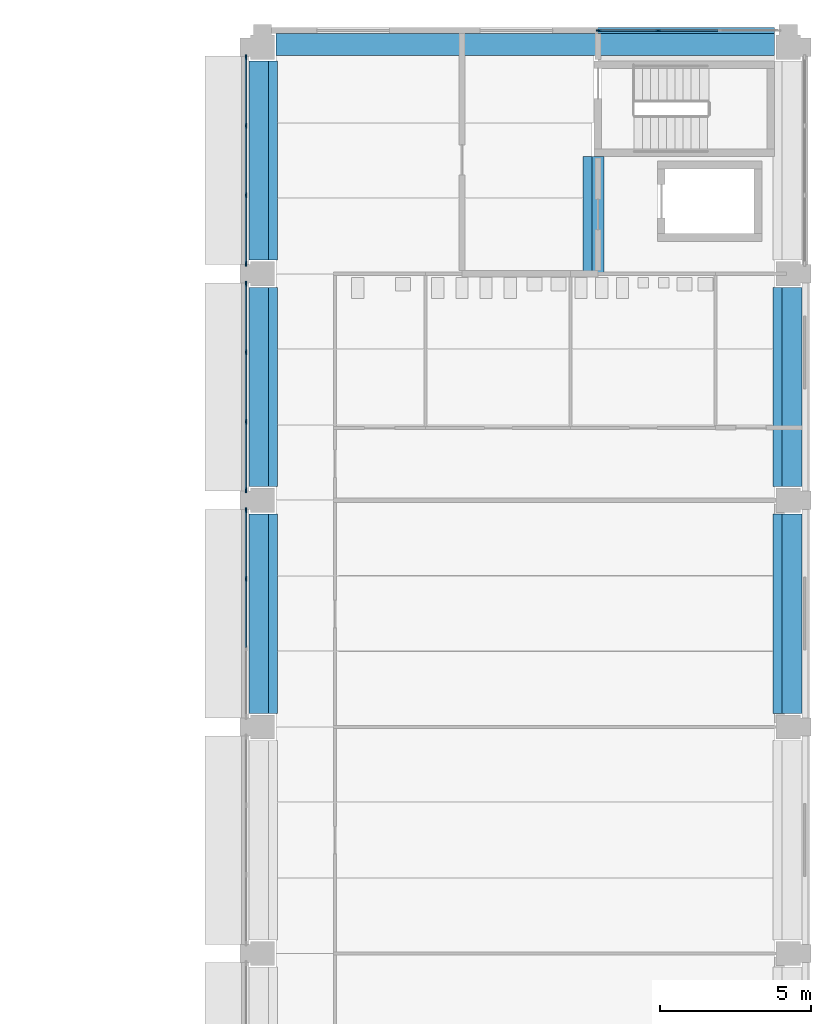
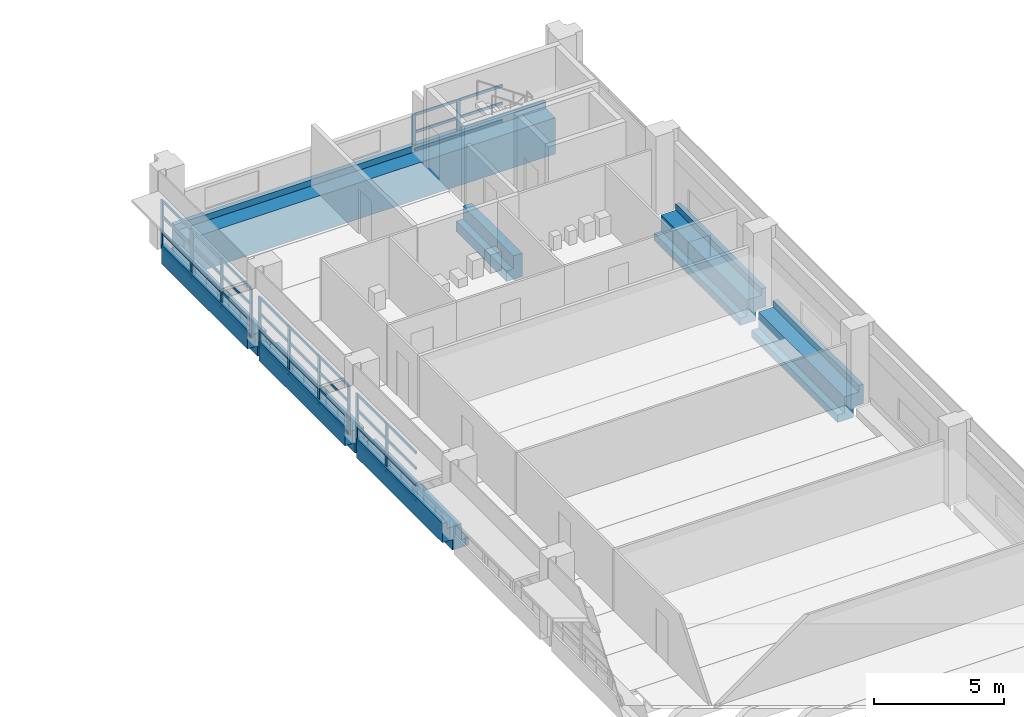
# One storey, part 23 of 61: 50 members, 7 beams, 4 elements without a shape of their own.
"""IFC4 building model written with IfcOpenShell, lengths in metres."""

from ifc_helpers import new_model, si_unit, direction, frame, origin, origin_2d, place, context, subcontext, project, spatial, polyline, rectangle, outline, extrude, material, layer, layer_set, material_profile, profile_set, type_object, element, aggregate, save


model = new_model("IFC4")

# Units and contexts
model_context = context("Model", 3, precision=1e-05, world=origin(), true_north=direction((0.0, 1.0)))
body_context = subcontext(model_context, "Body", "Model", "MODEL_VIEW")
ifc_project = project(units=[si_unit("LENGTHUNIT", "METRE"), si_unit("AREAUNIT", "SQUARE_METRE"), si_unit("VOLUMEUNIT", "CUBIC_METRE"), si_unit("PLANEANGLEUNIT", "RADIAN"), si_unit("MASSUNIT", "GRAM", prefix="KILO")], contexts=[model_context])

# Site, building, storey
site_placement = place(None, origin())
site = spatial("IfcSite", under=ifc_project, at=site_placement, CompositionType="ELEMENT")
building_placement = place(site_placement, origin())
building = spatial("IfcBuilding", under=site, at=building_placement, Name="Cour d'Honneur Mobility Palace", CompositionType="ELEMENT")
storey_placement = place(building_placement, frame((0.0, 0.0, 11.89990234375)))
storey = spatial("IfcBuildingStorey", under=building, at=storey_placement, Name="L03", CompositionType="ELEMENT", Elevation=11.89990234375)

# Curtain wall, members
ifc_material_1 = material(Name="Aluminium and glass", Category="aluminium")
ifc_layer = layer(ifc_material_1, 0.10009765625)
ifc_layer_set = layer_set([ifc_layer], Name="Aluminium and glass")
curtain_wall_type = type_object("IfcCurtainWallType", Name="Curtain wall run", PredefinedType="NOTDEFINED", material=ifc_layer_set)
curtain_wall_1_placement = place(storey_placement, origin())
curtain_wall_1 = element("IfcCurtainWall", 1, at=curtain_wall_1_placement, inside=storey, type_object=curtain_wall_type, Name="Curtain wall CW-58", PredefinedType="NOTDEFINED")
ifc_material_2 = material(Name="Aluminium", Category="aluminium")
ifc_material_profile_1 = material_profile(ifc_material_2, rectangle(XDim=0.06005859375, YDim=0.159912109375, at=origin_2d()), Name="Curtain wall mullion")
ifc_profile_set_1 = profile_set([ifc_material_profile_1], Name="Aluminium")
member_type_1 = type_object("IfcMemberType", Name="Curtain wall mullion", PredefinedType="MULLION", material=ifc_profile_set_1)
member_1_placement = place(storey_placement, frame((144.35009765625, 114.570068359375, 0.0), z_axis=(0.0, 0.0, 1.0), x_axis=(1.0, 0.0, 0.0)))
member_1 = element("IfcMember", 2, at=member_1_placement, type_object=member_type_1, Name="CW-58 mullion 1", PredefinedType="MULLION", context=body_context, shape_type="SweptSolid", body=[
    extrude(rectangle(XDim=0.06005859375, YDim=0.159912109375, at=origin_2d()), origin(), (0.0, 0.0, 1.0), 2.300048828125),
])
member_2_placement = place(storey_placement, frame((144.35009765625, 112.300048828125, 0.0), z_axis=(0.0, 0.0, 1.0), x_axis=(1.0, 0.0, 0.0)))
member_2 = element("IfcMember", 3, at=member_2_placement, type_object=member_type_1, Name="CW-58 mullion 2", PredefinedType="MULLION", context=body_context, shape_type="SweptSolid", body=[
    extrude(rectangle(XDim=0.06005859375, YDim=0.159912109375, at=origin_2d()), origin(), (0.0, 0.0, 1.0), 2.300048828125),
])
member_3_placement = place(storey_placement, frame((144.35009765625, 110.0, 0.0), z_axis=(0.0, 0.0, 1.0), x_axis=(1.0, 0.0, 0.0)))
member_3 = element("IfcMember", 4, at=member_3_placement, type_object=member_type_1, Name="CW-58 mullion 3", PredefinedType="MULLION", context=body_context, shape_type="SweptSolid", body=[
    extrude(rectangle(XDim=0.06005859375, YDim=0.159912109375, at=origin_2d()), origin(), (0.0, 0.0, 1.0), 2.300048828125),
])
member_4_placement = place(storey_placement, frame((144.35009765625, 107.72998046875, 0.0), z_axis=(0.0, 0.0, 1.0), x_axis=(1.0, 0.0, 0.0)))
member_4 = element("IfcMember", 5, at=member_4_placement, type_object=member_type_1, Name="CW-58 mullion 4", PredefinedType="MULLION", context=body_context, shape_type="SweptSolid", body=[
    extrude(rectangle(XDim=0.06005859375, YDim=0.159912109375, at=origin_2d()), origin(), (0.0, 0.0, 1.0), 2.300048828125),
])

curtain_wall_2_placement = place(storey_placement, origin())
curtain_wall_2 = element("IfcCurtainWall", 6, at=curtain_wall_2_placement, inside=storey, type_object=curtain_wall_type, Name="Curtain wall CW-59", PredefinedType="NOTDEFINED")
member_5_placement = place(storey_placement, frame((144.35009765625, 107.070068359375, 0.0), z_axis=(0.0, 0.0, 1.0), x_axis=(1.0, 0.0, 0.0)))
member_5 = element("IfcMember", 7, at=member_5_placement, type_object=member_type_1, Name="CW-59 mullion 1", PredefinedType="MULLION", context=body_context, shape_type="SweptSolid", body=[
    extrude(rectangle(XDim=0.06005859375, YDim=0.159912109375, at=origin_2d()), origin(), (0.0, 0.0, 1.0), 2.300048828125),
])
member_6_placement = place(storey_placement, frame((144.35009765625, 104.800048828125, 0.0), z_axis=(0.0, 0.0, 1.0), x_axis=(1.0, 0.0, 0.0)))
member_6 = element("IfcMember", 8, at=member_6_placement, type_object=member_type_1, Name="CW-59 mullion 2", PredefinedType="MULLION", context=body_context, shape_type="SweptSolid", body=[
    extrude(rectangle(XDim=0.06005859375, YDim=0.159912109375, at=origin_2d()), origin(), (0.0, 0.0, 1.0), 2.300048828125),
])
member_7_placement = place(storey_placement, frame((144.35009765625, 102.5, 0.0), z_axis=(0.0, 0.0, 1.0), x_axis=(1.0, 0.0, 0.0)))
member_7 = element("IfcMember", 9, at=member_7_placement, type_object=member_type_1, Name="CW-59 mullion 3", PredefinedType="MULLION", context=body_context, shape_type="SweptSolid", body=[
    extrude(rectangle(XDim=0.06005859375, YDim=0.159912109375, at=origin_2d()), origin(), (0.0, 0.0, 1.0), 2.300048828125),
])
member_8_placement = place(storey_placement, frame((144.35009765625, 100.22998046875, 0.0), z_axis=(0.0, 0.0, 1.0), x_axis=(1.0, 0.0, 0.0)))
member_8 = element("IfcMember", 10, at=member_8_placement, type_object=member_type_1, Name="CW-59 mullion 4", PredefinedType="MULLION", context=body_context, shape_type="SweptSolid", body=[
    extrude(rectangle(XDim=0.06005859375, YDim=0.159912109375, at=origin_2d()), origin(), (0.0, 0.0, 1.0), 2.300048828125),
])

curtain_wall_3_placement = place(storey_placement, origin())
curtain_wall_3 = element("IfcCurtainWall", 11, at=curtain_wall_3_placement, inside=storey, type_object=curtain_wall_type, Name="Curtain wall CW-60", PredefinedType="NOTDEFINED")
member_9_placement = place(storey_placement, frame((144.35009765625, 99.570068359375, 0.0), z_axis=(0.0, 0.0, 1.0), x_axis=(1.0, 0.0, 0.0)))
member_9 = element("IfcMember", 12, at=member_9_placement, type_object=member_type_1, Name="CW-60 mullion 1", PredefinedType="MULLION", context=body_context, shape_type="SweptSolid", body=[
    extrude(rectangle(XDim=0.06005859375, YDim=0.159912109375, at=origin_2d()), origin(), (0.0, 0.0, 1.0), 2.300048828125),
])
member_10_placement = place(storey_placement, frame((144.35009765625, 97.300048828125, 0.0), z_axis=(0.0, 0.0, 1.0), x_axis=(1.0, 0.0, 0.0)))
member_10 = element("IfcMember", 13, at=member_10_placement, type_object=member_type_1, Name="CW-60 mullion 2", PredefinedType="MULLION", context=body_context, shape_type="SweptSolid", body=[
    extrude(rectangle(XDim=0.06005859375, YDim=0.159912109375, at=origin_2d()), origin(), (0.0, 0.0, 1.0), 2.300048828125),
])

curtain_wall_4_placement = place(storey_placement, origin())
curtain_wall_4 = element("IfcCurtainWall", 14, at=curtain_wall_4_placement, inside=storey, type_object=curtain_wall_type, Name="Curtain wall CW-118", PredefinedType="NOTDEFINED")
member_11_placement = place(storey_placement, frame((158.0, 115.449951171875, 0.0), z_axis=(0.0, 0.0, 1.0), x_axis=(0.0, -1.0, 0.0)))
member_11 = element("IfcMember", 15, at=member_11_placement, type_object=member_type_1, Name="CW-118 mullion 3", PredefinedType="MULLION", context=body_context, shape_type="SweptSolid", body=[
    extrude(rectangle(XDim=0.06005859375, YDim=0.159912109375, at=origin_2d()), origin(), (0.0, 0.0, 1.0), 1.7001953125),
])
member_12_placement = place(storey_placement, frame((156.030029296875, 115.449951171875, 0.0), z_axis=(0.0, 0.0, 1.0), x_axis=(0.0, -1.0, 0.0)))
member_12 = element("IfcMember", 16, at=member_12_placement, type_object=member_type_1, Name="CW-118 mullion 4", PredefinedType="MULLION", context=body_context, shape_type="SweptSolid", body=[
    extrude(rectangle(XDim=0.06005859375, YDim=0.159912109375, at=origin_2d()), origin(), (0.0, 0.0, 1.0), 1.7001953125),
])

# Member
ifc_material_3 = material(Name="Aluminium", Category="aluminium")
ifc_material_profile_2 = material_profile(ifc_material_3, rectangle(XDim=0.06005859375, YDim=0.1201171875, at=origin_2d()), Name="Curtain wall transom")
ifc_profile_set_2 = profile_set([ifc_material_profile_2], Name="Aluminium")
member_type_2 = type_object("IfcMemberType", Name="Curtain wall transom", PredefinedType="USERDEFINED", material=ifc_profile_set_2)
member_13_placement = place(storey_placement, frame((144.35009765625, 114.5400390625, 0.030029296875), z_axis=(0.0, -1.0, 0.0), x_axis=(1.0, 0.0, 0.0)))
member_13 = element("IfcMember", 17, at=member_13_placement, type_object=member_type_2, Name="CW-58 transom 1.1", ObjectType="TRANSOM", PredefinedType="USERDEFINED", context=body_context, shape_type="SweptSolid", body=[
    extrude(rectangle(XDim=0.06005859375, YDim=0.1201171875, at=origin_2d()), origin(), (0.0, 0.0, 1.0), 2.2099609375),
])

member_14_placement = place(storey_placement, frame((144.35009765625, 114.5400390625, 0.766845703125), z_axis=(0.0, -1.0, 0.0), x_axis=(1.0, 0.0, 0.0)))
member_14 = element("IfcMember", 18, at=member_14_placement, type_object=member_type_2, Name="CW-58 transom 1.2", ObjectType="TRANSOM", PredefinedType="USERDEFINED", context=body_context, shape_type="SweptSolid", body=[
    extrude(rectangle(XDim=0.06005859375, YDim=0.1201171875, at=origin_2d()), origin(), (0.0, 0.0, 1.0), 2.2099609375),
])

member_15_placement = place(storey_placement, frame((144.35009765625, 114.5400390625, 1.533447265625), z_axis=(0.0, -1.0, 0.0), x_axis=(1.0, 0.0, 0.0)))
member_15 = element("IfcMember", 19, at=member_15_placement, type_object=member_type_2, Name="CW-58 transom 1.3", ObjectType="TRANSOM", PredefinedType="USERDEFINED", context=body_context, shape_type="SweptSolid", body=[
    extrude(rectangle(XDim=0.06005859375, YDim=0.1201171875, at=origin_2d()), origin(), (0.0, 0.0, 1.0), 2.2099609375),
])

member_16_placement = place(storey_placement, frame((144.35009765625, 114.5400390625, 2.27001953125), z_axis=(0.0, -1.0, 0.0), x_axis=(1.0, 0.0, 0.0)))
member_16 = element("IfcMember", 20, at=member_16_placement, type_object=member_type_2, Name="CW-58 transom 1.4", ObjectType="TRANSOM", PredefinedType="USERDEFINED", context=body_context, shape_type="SweptSolid", body=[
    extrude(rectangle(XDim=0.06005859375, YDim=0.1201171875, at=origin_2d()), origin(), (0.0, 0.0, 1.0), 2.2099609375),
])

member_17_placement = place(storey_placement, frame((144.35009765625, 112.27001953125, 0.030029296875), z_axis=(0.0, -1.0, 0.0), x_axis=(1.0, 0.0, 0.0)))
member_17 = element("IfcMember", 21, at=member_17_placement, type_object=member_type_2, Name="CW-58 transom 2.1", ObjectType="TRANSOM", PredefinedType="USERDEFINED", context=body_context, shape_type="SweptSolid", body=[
    extrude(rectangle(XDim=0.06005859375, YDim=0.1201171875, at=origin_2d()), origin(), (0.0, 0.0, 1.0), 2.239990234375),
])

member_18_placement = place(storey_placement, frame((144.35009765625, 112.27001953125, 0.766845703125), z_axis=(0.0, -1.0, 0.0), x_axis=(1.0, 0.0, 0.0)))
member_18 = element("IfcMember", 22, at=member_18_placement, type_object=member_type_2, Name="CW-58 transom 2.2", ObjectType="TRANSOM", PredefinedType="USERDEFINED", context=body_context, shape_type="SweptSolid", body=[
    extrude(rectangle(XDim=0.06005859375, YDim=0.1201171875, at=origin_2d()), origin(), (0.0, 0.0, 1.0), 2.239990234375),
])

member_19_placement = place(storey_placement, frame((144.35009765625, 112.27001953125, 1.533447265625), z_axis=(0.0, -1.0, 0.0), x_axis=(1.0, 0.0, 0.0)))
member_19 = element("IfcMember", 23, at=member_19_placement, type_object=member_type_2, Name="CW-58 transom 2.3", ObjectType="TRANSOM", PredefinedType="USERDEFINED", context=body_context, shape_type="SweptSolid", body=[
    extrude(rectangle(XDim=0.06005859375, YDim=0.1201171875, at=origin_2d()), origin(), (0.0, 0.0, 1.0), 2.239990234375),
])

member_20_placement = place(storey_placement, frame((144.35009765625, 112.27001953125, 2.27001953125), z_axis=(0.0, -1.0, 0.0), x_axis=(1.0, 0.0, 0.0)))
member_20 = element("IfcMember", 24, at=member_20_placement, type_object=member_type_2, Name="CW-58 transom 2.4", ObjectType="TRANSOM", PredefinedType="USERDEFINED", context=body_context, shape_type="SweptSolid", body=[
    extrude(rectangle(XDim=0.06005859375, YDim=0.1201171875, at=origin_2d()), origin(), (0.0, 0.0, 1.0), 2.239990234375),
])

member_21_placement = place(storey_placement, frame((144.35009765625, 109.969970703125, 0.030029296875), z_axis=(0.0, -1.0, 0.0), x_axis=(1.0, 0.0, 0.0)))
member_21 = element("IfcMember", 25, at=member_21_placement, type_object=member_type_2, Name="CW-58 transom 3.1", ObjectType="TRANSOM", PredefinedType="USERDEFINED", context=body_context, shape_type="SweptSolid", body=[
    extrude(rectangle(XDim=0.06005859375, YDim=0.1201171875, at=origin_2d()), origin(), (0.0, 0.0, 1.0), 2.2099609375),
])

member_22_placement = place(storey_placement, frame((144.35009765625, 109.969970703125, 0.766845703125), z_axis=(0.0, -1.0, 0.0), x_axis=(1.0, 0.0, 0.0)))
member_22 = element("IfcMember", 26, at=member_22_placement, type_object=member_type_2, Name="CW-58 transom 3.2", ObjectType="TRANSOM", PredefinedType="USERDEFINED", context=body_context, shape_type="SweptSolid", body=[
    extrude(rectangle(XDim=0.06005859375, YDim=0.1201171875, at=origin_2d()), origin(), (0.0, 0.0, 1.0), 2.2099609375),
])

member_23_placement = place(storey_placement, frame((144.35009765625, 109.969970703125, 1.533447265625), z_axis=(0.0, -1.0, 0.0), x_axis=(1.0, 0.0, 0.0)))
member_23 = element("IfcMember", 27, at=member_23_placement, type_object=member_type_2, Name="CW-58 transom 3.3", ObjectType="TRANSOM", PredefinedType="USERDEFINED", context=body_context, shape_type="SweptSolid", body=[
    extrude(rectangle(XDim=0.06005859375, YDim=0.1201171875, at=origin_2d()), origin(), (0.0, 0.0, 1.0), 2.2099609375),
])

member_24_placement = place(storey_placement, frame((144.35009765625, 109.969970703125, 2.27001953125), z_axis=(0.0, -1.0, 0.0), x_axis=(1.0, 0.0, 0.0)))
member_24 = element("IfcMember", 28, at=member_24_placement, type_object=member_type_2, Name="CW-58 transom 3.4", ObjectType="TRANSOM", PredefinedType="USERDEFINED", context=body_context, shape_type="SweptSolid", body=[
    extrude(rectangle(XDim=0.06005859375, YDim=0.1201171875, at=origin_2d()), origin(), (0.0, 0.0, 1.0), 2.2099609375),
])

aggregate(curtain_wall_1, [member_1, member_2, member_3, member_4, member_13, member_14, member_15, member_16, member_17, member_18, member_19, member_20, member_21, member_22, member_23, member_24])

member_25_placement = place(storey_placement, frame((144.35009765625, 107.0400390625, 0.030029296875), z_axis=(0.0, -1.0, 0.0), x_axis=(1.0, 0.0, 0.0)))
member_25 = element("IfcMember", 29, at=member_25_placement, type_object=member_type_2, Name="CW-59 transom 1.1", ObjectType="TRANSOM", PredefinedType="USERDEFINED", context=body_context, shape_type="SweptSolid", body=[
    extrude(rectangle(XDim=0.06005859375, YDim=0.1201171875, at=origin_2d()), origin(), (0.0, 0.0, 1.0), 2.2099609375),
])

member_26_placement = place(storey_placement, frame((144.35009765625, 107.0400390625, 0.766845703125), z_axis=(0.0, -1.0, 0.0), x_axis=(1.0, 0.0, 0.0)))
member_26 = element("IfcMember", 30, at=member_26_placement, type_object=member_type_2, Name="CW-59 transom 1.2", ObjectType="TRANSOM", PredefinedType="USERDEFINED", context=body_context, shape_type="SweptSolid", body=[
    extrude(rectangle(XDim=0.06005859375, YDim=0.1201171875, at=origin_2d()), origin(), (0.0, 0.0, 1.0), 2.2099609375),
])

member_27_placement = place(storey_placement, frame((144.35009765625, 107.0400390625, 1.533447265625), z_axis=(0.0, -1.0, 0.0), x_axis=(1.0, 0.0, 0.0)))
member_27 = element("IfcMember", 31, at=member_27_placement, type_object=member_type_2, Name="CW-59 transom 1.3", ObjectType="TRANSOM", PredefinedType="USERDEFINED", context=body_context, shape_type="SweptSolid", body=[
    extrude(rectangle(XDim=0.06005859375, YDim=0.1201171875, at=origin_2d()), origin(), (0.0, 0.0, 1.0), 2.2099609375),
])

member_28_placement = place(storey_placement, frame((144.35009765625, 107.0400390625, 2.27001953125), z_axis=(0.0, -1.0, 0.0), x_axis=(1.0, 0.0, 0.0)))
member_28 = element("IfcMember", 32, at=member_28_placement, type_object=member_type_2, Name="CW-59 transom 1.4", ObjectType="TRANSOM", PredefinedType="USERDEFINED", context=body_context, shape_type="SweptSolid", body=[
    extrude(rectangle(XDim=0.06005859375, YDim=0.1201171875, at=origin_2d()), origin(), (0.0, 0.0, 1.0), 2.2099609375),
])

member_29_placement = place(storey_placement, frame((144.35009765625, 104.77001953125, 0.030029296875), z_axis=(0.0, -1.0, 0.0), x_axis=(1.0, 0.0, 0.0)))
member_29 = element("IfcMember", 33, at=member_29_placement, type_object=member_type_2, Name="CW-59 transom 2.1", ObjectType="TRANSOM", PredefinedType="USERDEFINED", context=body_context, shape_type="SweptSolid", body=[
    extrude(rectangle(XDim=0.06005859375, YDim=0.1201171875, at=origin_2d()), origin(), (0.0, 0.0, 1.0), 2.239990234375),
])

member_30_placement = place(storey_placement, frame((144.35009765625, 104.77001953125, 0.766845703125), z_axis=(0.0, -1.0, 0.0), x_axis=(1.0, 0.0, 0.0)))
member_30 = element("IfcMember", 34, at=member_30_placement, type_object=member_type_2, Name="CW-59 transom 2.2", ObjectType="TRANSOM", PredefinedType="USERDEFINED", context=body_context, shape_type="SweptSolid", body=[
    extrude(rectangle(XDim=0.06005859375, YDim=0.1201171875, at=origin_2d()), origin(), (0.0, 0.0, 1.0), 2.239990234375),
])

member_31_placement = place(storey_placement, frame((144.35009765625, 104.77001953125, 1.533447265625), z_axis=(0.0, -1.0, 0.0), x_axis=(1.0, 0.0, 0.0)))
member_31 = element("IfcMember", 35, at=member_31_placement, type_object=member_type_2, Name="CW-59 transom 2.3", ObjectType="TRANSOM", PredefinedType="USERDEFINED", context=body_context, shape_type="SweptSolid", body=[
    extrude(rectangle(XDim=0.06005859375, YDim=0.1201171875, at=origin_2d()), origin(), (0.0, 0.0, 1.0), 2.239990234375),
])

member_32_placement = place(storey_placement, frame((144.35009765625, 104.77001953125, 2.27001953125), z_axis=(0.0, -1.0, 0.0), x_axis=(1.0, 0.0, 0.0)))
member_32 = element("IfcMember", 36, at=member_32_placement, type_object=member_type_2, Name="CW-59 transom 2.4", ObjectType="TRANSOM", PredefinedType="USERDEFINED", context=body_context, shape_type="SweptSolid", body=[
    extrude(rectangle(XDim=0.06005859375, YDim=0.1201171875, at=origin_2d()), origin(), (0.0, 0.0, 1.0), 2.239990234375),
])

member_33_placement = place(storey_placement, frame((144.35009765625, 102.469970703125, 0.030029296875), z_axis=(0.0, -1.0, 0.0), x_axis=(1.0, 0.0, 0.0)))
member_33 = element("IfcMember", 37, at=member_33_placement, type_object=member_type_2, Name="CW-59 transom 3.1", ObjectType="TRANSOM", PredefinedType="USERDEFINED", context=body_context, shape_type="SweptSolid", body=[
    extrude(rectangle(XDim=0.06005859375, YDim=0.1201171875, at=origin_2d()), origin(), (0.0, 0.0, 1.0), 2.2099609375),
])

member_34_placement = place(storey_placement, frame((144.35009765625, 102.469970703125, 0.766845703125), z_axis=(0.0, -1.0, 0.0), x_axis=(1.0, 0.0, 0.0)))
member_34 = element("IfcMember", 38, at=member_34_placement, type_object=member_type_2, Name="CW-59 transom 3.2", ObjectType="TRANSOM", PredefinedType="USERDEFINED", context=body_context, shape_type="SweptSolid", body=[
    extrude(rectangle(XDim=0.06005859375, YDim=0.1201171875, at=origin_2d()), origin(), (0.0, 0.0, 1.0), 2.2099609375),
])

member_35_placement = place(storey_placement, frame((144.35009765625, 102.469970703125, 1.533447265625), z_axis=(0.0, -1.0, 0.0), x_axis=(1.0, 0.0, 0.0)))
member_35 = element("IfcMember", 39, at=member_35_placement, type_object=member_type_2, Name="CW-59 transom 3.3", ObjectType="TRANSOM", PredefinedType="USERDEFINED", context=body_context, shape_type="SweptSolid", body=[
    extrude(rectangle(XDim=0.06005859375, YDim=0.1201171875, at=origin_2d()), origin(), (0.0, 0.0, 1.0), 2.2099609375),
])

member_36_placement = place(storey_placement, frame((144.35009765625, 102.469970703125, 2.27001953125), z_axis=(0.0, -1.0, 0.0), x_axis=(1.0, 0.0, 0.0)))
member_36 = element("IfcMember", 40, at=member_36_placement, type_object=member_type_2, Name="CW-59 transom 3.4", ObjectType="TRANSOM", PredefinedType="USERDEFINED", context=body_context, shape_type="SweptSolid", body=[
    extrude(rectangle(XDim=0.06005859375, YDim=0.1201171875, at=origin_2d()), origin(), (0.0, 0.0, 1.0), 2.2099609375),
])

aggregate(curtain_wall_2, [member_5, member_6, member_7, member_8, member_25, member_26, member_27, member_28, member_29, member_30, member_31, member_32, member_33, member_34, member_35, member_36])

member_37_placement = place(storey_placement, frame((144.35009765625, 99.5400390625, 0.030029296875), z_axis=(0.0, -1.0, 0.0), x_axis=(1.0, 0.0, 0.0)))
member_37 = element("IfcMember", 41, at=member_37_placement, type_object=member_type_2, Name="CW-60 transom 1.1", ObjectType="TRANSOM", PredefinedType="USERDEFINED", context=body_context, shape_type="SweptSolid", body=[
    extrude(rectangle(XDim=0.06005859375, YDim=0.1201171875, at=origin_2d()), origin(), (0.0, 0.0, 1.0), 2.2099609375),
])

member_38_placement = place(storey_placement, frame((144.35009765625, 99.5400390625, 0.766845703125), z_axis=(0.0, -1.0, 0.0), x_axis=(1.0, 0.0, 0.0)))
member_38 = element("IfcMember", 42, at=member_38_placement, type_object=member_type_2, Name="CW-60 transom 1.2", ObjectType="TRANSOM", PredefinedType="USERDEFINED", context=body_context, shape_type="SweptSolid", body=[
    extrude(rectangle(XDim=0.06005859375, YDim=0.1201171875, at=origin_2d()), origin(), (0.0, 0.0, 1.0), 2.2099609375),
])

member_39_placement = place(storey_placement, frame((144.35009765625, 99.5400390625, 1.533447265625), z_axis=(0.0, -1.0, 0.0), x_axis=(1.0, 0.0, 0.0)))
member_39 = element("IfcMember", 43, at=member_39_placement, type_object=member_type_2, Name="CW-60 transom 1.3", ObjectType="TRANSOM", PredefinedType="USERDEFINED", context=body_context, shape_type="SweptSolid", body=[
    extrude(rectangle(XDim=0.06005859375, YDim=0.1201171875, at=origin_2d()), origin(), (0.0, 0.0, 1.0), 2.2099609375),
])

member_40_placement = place(storey_placement, frame((144.35009765625, 99.5400390625, 2.27001953125), z_axis=(0.0, -1.0, 0.0), x_axis=(1.0, 0.0, 0.0)))
member_40 = element("IfcMember", 44, at=member_40_placement, type_object=member_type_2, Name="CW-60 transom 1.4", ObjectType="TRANSOM", PredefinedType="USERDEFINED", context=body_context, shape_type="SweptSolid", body=[
    extrude(rectangle(XDim=0.06005859375, YDim=0.1201171875, at=origin_2d()), origin(), (0.0, 0.0, 1.0), 2.2099609375),
])

member_41_placement = place(storey_placement, frame((144.35009765625, 97.27001953125, 0.030029296875), z_axis=(0.0, -1.0, 0.0), x_axis=(1.0, 0.0, 0.0)))
member_41 = element("IfcMember", 45, at=member_41_placement, type_object=member_type_2, Name="CW-60 transom 2.1", ObjectType="TRANSOM", PredefinedType="USERDEFINED", context=body_context, shape_type="SweptSolid", body=[
    extrude(rectangle(XDim=0.06005859375, YDim=0.1201171875, at=origin_2d()), origin(), (0.0, 0.0, 1.0), 2.239990234375),
])

member_42_placement = place(storey_placement, frame((144.35009765625, 97.27001953125, 0.766845703125), z_axis=(0.0, -1.0, 0.0), x_axis=(1.0, 0.0, 0.0)))
member_42 = element("IfcMember", 46, at=member_42_placement, type_object=member_type_2, Name="CW-60 transom 2.2", ObjectType="TRANSOM", PredefinedType="USERDEFINED", context=body_context, shape_type="SweptSolid", body=[
    extrude(rectangle(XDim=0.06005859375, YDim=0.1201171875, at=origin_2d()), origin(), (0.0, 0.0, 1.0), 2.239990234375),
])

member_43_placement = place(storey_placement, frame((144.35009765625, 97.27001953125, 1.533447265625), z_axis=(0.0, -1.0, 0.0), x_axis=(1.0, 0.0, 0.0)))
member_43 = element("IfcMember", 47, at=member_43_placement, type_object=member_type_2, Name="CW-60 transom 2.3", ObjectType="TRANSOM", PredefinedType="USERDEFINED", context=body_context, shape_type="SweptSolid", body=[
    extrude(rectangle(XDim=0.06005859375, YDim=0.1201171875, at=origin_2d()), origin(), (0.0, 0.0, 1.0), 2.239990234375),
])

member_44_placement = place(storey_placement, frame((144.35009765625, 97.27001953125, 2.27001953125), z_axis=(0.0, -1.0, 0.0), x_axis=(1.0, 0.0, 0.0)))
member_44 = element("IfcMember", 48, at=member_44_placement, type_object=member_type_2, Name="CW-60 transom 2.4", ObjectType="TRANSOM", PredefinedType="USERDEFINED", context=body_context, shape_type="SweptSolid", body=[
    extrude(rectangle(XDim=0.06005859375, YDim=0.1201171875, at=origin_2d()), origin(), (0.0, 0.0, 1.0), 2.239990234375),
])

aggregate(curtain_wall_3, [member_9, member_10, member_37, member_38, member_39, member_40, member_41, member_42, member_43, member_44])

member_45_placement = place(storey_placement, frame((159.969970703125, 115.449951171875, 0.030029296875), z_axis=(-1.0, 0.0, 0.0), x_axis=(0.0, -1.0, 0.0)))
member_45 = element("IfcMember", 49, at=member_45_placement, type_object=member_type_2, Name="CW-118 transom 2.1", ObjectType="TRANSOM", PredefinedType="USERDEFINED", context=body_context, shape_type="SweptSolid", body=[
    extrude(rectangle(XDim=0.06005859375, YDim=0.1201171875, at=origin_2d()), origin(), (0.0, 0.0, 1.0), 1.93994140625),
])

member_46_placement = place(storey_placement, frame((159.969970703125, 115.449951171875, 0.85009765625), z_axis=(-1.0, 0.0, 0.0), x_axis=(0.0, -1.0, 0.0)))
member_46 = element("IfcMember", 50, at=member_46_placement, type_object=member_type_2, Name="CW-118 transom 2.2", ObjectType="TRANSOM", PredefinedType="USERDEFINED", context=body_context, shape_type="SweptSolid", body=[
    extrude(rectangle(XDim=0.06005859375, YDim=0.1201171875, at=origin_2d()), origin(), (0.0, 0.0, 1.0), 1.93994140625),
])

member_47_placement = place(storey_placement, frame((159.969970703125, 115.449951171875, 1.670166015625), z_axis=(-1.0, 0.0, 0.0), x_axis=(0.0, -1.0, 0.0)))
member_47 = element("IfcMember", 51, at=member_47_placement, type_object=member_type_2, Name="CW-118 transom 2.3", ObjectType="TRANSOM", PredefinedType="USERDEFINED", context=body_context, shape_type="SweptSolid", body=[
    extrude(rectangle(XDim=0.06005859375, YDim=0.1201171875, at=origin_2d()), origin(), (0.0, 0.0, 1.0), 1.93994140625),
])

member_48_placement = place(storey_placement, frame((157.969970703125, 115.449951171875, 0.030029296875), z_axis=(-1.0, 0.0, 0.0), x_axis=(0.0, -1.0, 0.0)))
member_48 = element("IfcMember", 52, at=member_48_placement, type_object=member_type_2, Name="CW-118 transom 3.1", ObjectType="TRANSOM", PredefinedType="USERDEFINED", context=body_context, shape_type="SweptSolid", body=[
    extrude(rectangle(XDim=0.06005859375, YDim=0.1201171875, at=origin_2d()), origin(), (0.0, 0.0, 1.0), 1.909912109375),
])

member_49_placement = place(storey_placement, frame((157.969970703125, 115.449951171875, 0.85009765625), z_axis=(-1.0, 0.0, 0.0), x_axis=(0.0, -1.0, 0.0)))
member_49 = element("IfcMember", 53, at=member_49_placement, type_object=member_type_2, Name="CW-118 transom 3.2", ObjectType="TRANSOM", PredefinedType="USERDEFINED", context=body_context, shape_type="SweptSolid", body=[
    extrude(rectangle(XDim=0.06005859375, YDim=0.1201171875, at=origin_2d()), origin(), (0.0, 0.0, 1.0), 1.909912109375),
])

member_50_placement = place(storey_placement, frame((157.969970703125, 115.449951171875, 1.670166015625), z_axis=(-1.0, 0.0, 0.0), x_axis=(0.0, -1.0, 0.0)))
member_50 = element("IfcMember", 54, at=member_50_placement, type_object=member_type_2, Name="CW-118 transom 3.3", ObjectType="TRANSOM", PredefinedType="USERDEFINED", context=body_context, shape_type="SweptSolid", body=[
    extrude(rectangle(XDim=0.06005859375, YDim=0.1201171875, at=origin_2d()), origin(), (0.0, 0.0, 1.0), 1.909912109375),
])

aggregate(curtain_wall_4, [member_11, member_12, member_45, member_46, member_47, member_48, member_49, member_50])

# Beams
ifc_material_4 = material(Name="Concrete C45", Category="concrete")
ifc_material_profile_3 = material_profile(ifc_material_4, outline(polyline([(0.27490234375, -1.699951171875), (0.27490234375, -0.60009765625), (0.64990234375, -0.60009765625), (0.64990234375, 0.300048828125), (0.449951171875, 0.300048828125), (0.449951171875, 0.0), (0.27490234375, 0.0), (-0.27490234375, 0.0), (-0.27490234375, -1.699951171875), (0.27490234375, -1.699951171875)])), Name="Edge Spandrel Beam 550x1700 no ledge facade left")
ifc_profile_set_3 = profile_set([ifc_material_profile_3], Name="Concrete C45")
beam_type_1 = type_object("IfcBeamType", Name="Edge Spandrel Beam 550x1700 no ledge facade left", PredefinedType="SPANDREL", material=ifc_profile_set_3)
beam_1_placement = place(storey_placement, frame((145.35009765625, 114.89990234375, 0.0), z_axis=(1.0, 0.0, 0.0), x_axis=(0.0, 1.0, 0.0)))
element("IfcBeam", 55, at=beam_1_placement, inside=storey, type_object=beam_type_1, Name="Precast beam B7 19-20 L03", PredefinedType="SPANDREL", context=body_context, shape_type="SweptSolid", body=[
    extrude(outline(polyline([(0.27490234375, -1.699951171875), (0.27490234375, -0.60009765625), (0.64990234375, -0.60009765625), (0.64990234375, 0.300048828125), (0.449951171875, 0.300048828125), (0.449951171875, 0.0), (0.27490234375, 0.0), (-0.27490234375, 0.0), (-0.27490234375, -1.699951171875), (0.27490234375, -1.699951171875)])), origin(), (0.0, 0.0, 1.0), 16.5),
])
ifc_material_5 = material(Name="Concrete C45", Category="concrete")
ifc_material_profile_4 = material_profile(ifc_material_5, outline(polyline([(0.5, -1.10009765625), (0.5, -0.75), (0.199951171875, -0.75), (0.199951171875, 0.0), (-0.199951171875, 0.0), (-0.449951171875, 0.0), (-0.449951171875, 0.300048828125), (-0.64990234375, 0.300048828125), (-0.64990234375, -0.60009765625), (-0.199951171875, -0.60009765625), (-0.199951171875, -1.10009765625), (0.5, -1.10009765625)])), Name="Ledger Beam 400x1100 ledge left 350 facade right")
ifc_profile_set_4 = profile_set([ifc_material_profile_4], Name="Concrete C45")
beam_type_2 = type_object("IfcBeamType", Name="Ledger Beam 400x1100 ledge left 350 facade right", PredefinedType="BEAM", material=ifc_profile_set_4)
for number, where, z_axis, x_axis, name in (
    (56, (162.300048828125, 92.85009765625, 0.0), (0.0, 1.0, 0.0), (-1.0, 0.0, 0.0), "Precast beam B2 M-N L03"),
    (57, (162.300048828125, 100.35009765625, 0.0), (0.0, 1.0, 0.0), (-1.0, 0.0, 0.0), "Precast beam B2 N-P L03"),
):
    element("IfcBeam", number, at=place(storey_placement, frame(where, z_axis=z_axis, x_axis=x_axis)), inside=storey, type_object=beam_type_2, Name=name, PredefinedType="BEAM", context=body_context, shape_type="SweptSolid", body=[
        extrude(outline(polyline([(0.5, -1.10009765625), (0.5, -0.75), (0.199951171875, -0.75), (0.199951171875, 0.0), (-0.199951171875, 0.0), (-0.449951171875, 0.0), (-0.449951171875, 0.300048828125), (-0.64990234375, 0.300048828125), (-0.64990234375, -0.60009765625), (-0.199951171875, -0.60009765625), (-0.199951171875, -1.10009765625), (0.5, -1.10009765625)])), origin(), (0.0, 0.0, 1.0), 6.599853515625),
    ])
ifc_material_6 = material(Name="Concrete C45", Category="concrete")
ifc_material_profile_5 = material_profile(ifc_material_6, outline(polyline([(0.5, -1.10009765625), (0.5, -0.60009765625), (0.199951171875, -0.60009765625), (0.199951171875, 0.0), (-0.199951171875, 0.0), (-0.199951171875, -1.10009765625), (0.5, -1.10009765625)])), Name="Ledger Beam 400x1100 ledge left 500 plain")
ifc_profile_set_5 = profile_set([ifc_material_profile_5], Name="Concrete C45")
beam_type_3 = type_object("IfcBeamType", Name="Ledger Beam 400x1100 ledge left 500 plain", PredefinedType="BEAM", material=ifc_profile_set_5)
beam_2_placement = place(storey_placement, frame((156.0, 107.39990234375, 0.0), z_axis=(0.0, 1.0, 0.0), x_axis=(-1.0, 0.0, 0.0)))
element("IfcBeam", 58, at=beam_2_placement, inside=storey, type_object=beam_type_3, Name="Precast beam B20 P- L03", PredefinedType="BEAM", context=body_context, shape_type="SweptSolid", body=[
    extrude(outline(polyline([(0.5, -1.10009765625), (0.5, -0.60009765625), (0.199951171875, -0.60009765625), (0.199951171875, 0.0), (-0.199951171875, 0.0), (-0.199951171875, -1.10009765625), (0.5, -1.10009765625)])), origin(), (0.0, 0.0, 1.0), 3.875),
])
ifc_material_7 = material(Name="Concrete C45", Category="concrete")
ifc_material_profile_6 = material_profile(ifc_material_7, outline(polyline([(0.199951171875, -1.10009765625), (0.199951171875, -0.60009765625), (0.64990234375, -0.60009765625), (0.64990234375, 0.300048828125), (0.449951171875, 0.300048828125), (0.449951171875, 0.0), (0.199951171875, 0.0), (-0.199951171875, 0.0), (-0.199951171875, -0.75), (-0.5, -0.75), (-0.5, -1.10009765625), (0.199951171875, -1.10009765625)])), Name="Ledger Beam 400x1100 ledge right 350 facade left")
ifc_profile_set_6 = profile_set([ifc_material_profile_6], Name="Concrete C45")
beam_type_4 = type_object("IfcBeamType", Name="Ledger Beam 400x1100 ledge right 350 facade left", PredefinedType="BEAM", material=ifc_profile_set_6)
for number, where, z_axis, x_axis, name in (
    (59, (144.89990234375, 92.85009765625, 0.0), (0.0, 1.0, 0.0), (-1.0, 0.0, 0.0), "Precast beam B4 M-N L03"),
    (60, (144.89990234375, 100.35009765625, 0.0), (0.0, 1.0, 0.0), (-1.0, 0.0, 0.0), "Precast beam B4 N-P L03"),
):
    element("IfcBeam", number, at=place(storey_placement, frame(where, z_axis=z_axis, x_axis=x_axis)), inside=storey, type_object=beam_type_4, Name=name, PredefinedType="BEAM", context=body_context, shape_type="SweptSolid", body=[
        extrude(outline(polyline([(0.199951171875, -1.10009765625), (0.199951171875, -0.60009765625), (0.64990234375, -0.60009765625), (0.64990234375, 0.300048828125), (0.449951171875, 0.300048828125), (0.449951171875, 0.0), (0.199951171875, 0.0), (-0.199951171875, 0.0), (-0.199951171875, -0.75), (-0.5, -0.75), (-0.5, -1.10009765625), (0.199951171875, -1.10009765625)])), origin(), (0.0, 0.0, 1.0), 6.599853515625),
    ])
ifc_material_8 = material(Name="Concrete C45", Category="concrete")
ifc_material_profile_7 = material_profile(ifc_material_8, outline(polyline([(0.199951171875, -1.10009765625), (0.199951171875, -0.60009765625), (0.64990234375, -0.60009765625), (0.64990234375, 0.300048828125), (0.449951171875, 0.300048828125), (0.449951171875, 0.0), (0.199951171875, 0.0), (-0.199951171875, 0.0), (-0.199951171875, -0.60009765625), (-0.5, -0.60009765625), (-0.5, -1.10009765625), (0.199951171875, -1.10009765625)])), Name="Ledger Beam 400x1100 ledge right 500 facade left")
ifc_profile_set_7 = profile_set([ifc_material_profile_7], Name="Concrete C45")
beam_type_5 = type_object("IfcBeamType", Name="Ledger Beam 400x1100 ledge right 500 facade left", PredefinedType="BEAM", material=ifc_profile_set_7)
beam_3_placement = place(storey_placement, frame((144.89990234375, 107.85009765625, 0.0), z_axis=(0.0, 1.0, 0.0), x_axis=(-1.0, 0.0, 0.0)))
element("IfcBeam", 61, at=beam_3_placement, inside=storey, type_object=beam_type_5, Name="Precast beam B17 P-Q L03", PredefinedType="BEAM", context=body_context, shape_type="SweptSolid", body=[
    extrude(outline(polyline([(0.199951171875, -1.10009765625), (0.199951171875, -0.60009765625), (0.64990234375, -0.60009765625), (0.64990234375, 0.300048828125), (0.449951171875, 0.300048828125), (0.449951171875, 0.0), (0.199951171875, 0.0), (-0.199951171875, 0.0), (-0.199951171875, -0.60009765625), (-0.5, -0.60009765625), (-0.5, -1.10009765625), (0.199951171875, -1.10009765625)])), origin(), (0.0, 0.0, 1.0), 6.599853515625),
])

save(model, "model.ifc")
